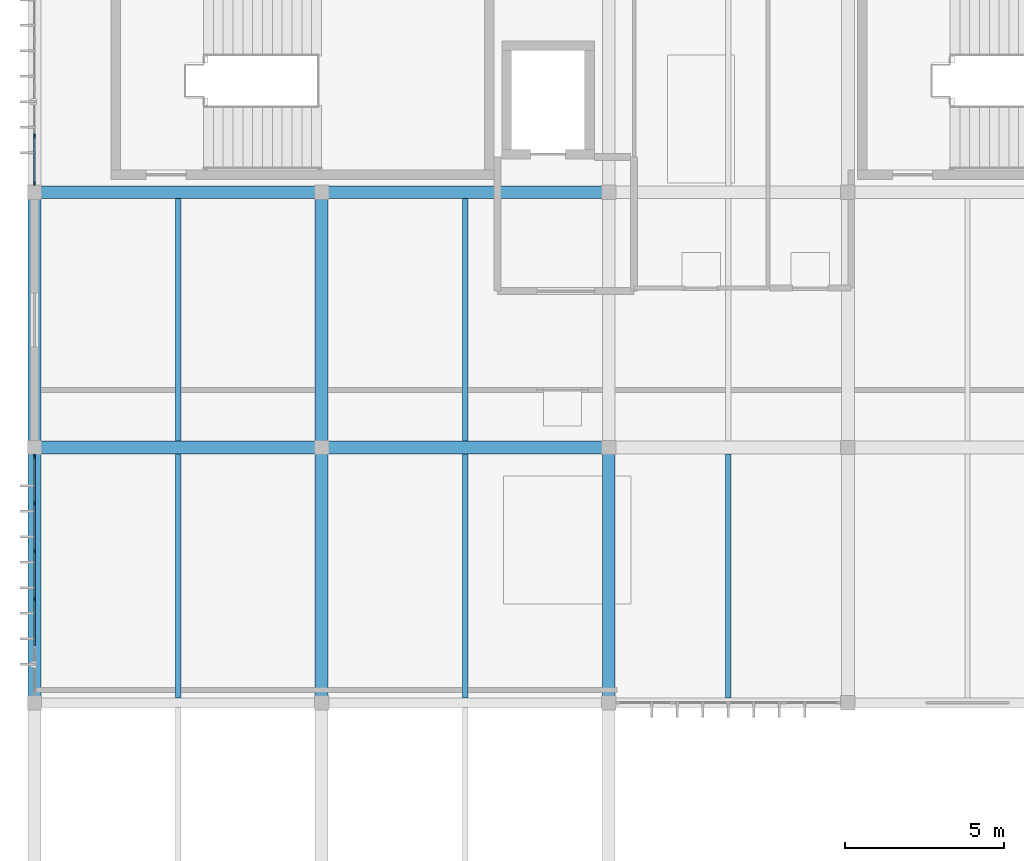
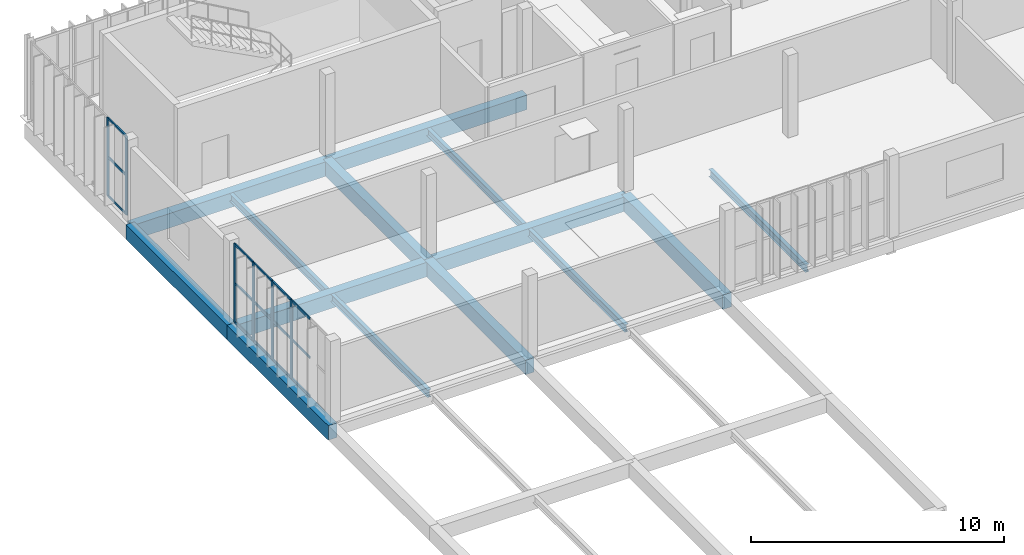
# One storey, part 9 of 26: 21 members, 14 beams, 2 elements without a shape of their own.
"""IFC4 building model written with IfcOpenShell, lengths in metres."""

from ifc_helpers import new_model, si_unit, direction, frame, origin, origin_2d, place, context, subcontext, project, spatial, rectangle, i_section, extrude, material, material_profile, profile_set, type_object, element, aggregate, save


model = new_model("IFC4")

# Units and contexts
model_context = context("Model", 3, precision=1e-05, world=origin(), true_north=direction((0.0, 1.0)))
body_context = subcontext(model_context, "Body", "Model", "MODEL_VIEW")
ifc_project = project(units=[si_unit("LENGTHUNIT", "METRE"), si_unit("AREAUNIT", "SQUARE_METRE"), si_unit("VOLUMEUNIT", "CUBIC_METRE"), si_unit("PLANEANGLEUNIT", "RADIAN"), si_unit("MASSUNIT", "GRAM", prefix="KILO")], contexts=[model_context])

# Site, building, storey
site_placement = place(None, origin())
site = spatial("IfcSite", under=ifc_project, at=site_placement, CompositionType="ELEMENT")
building_placement = place(site_placement, origin())
building = spatial("IfcBuilding", under=site, at=building_placement, Name="Vourika Railside Aquatics Centre", CompositionType="ELEMENT")
storey_placement = place(building_placement, frame((0.0, 0.0, 17.699951171875)))
storey = spatial("IfcBuildingStorey", under=building, at=storey_placement, Name="L04", CompositionType="ELEMENT", Elevation=17.699951171875)

# Beams
ifc_material_1 = material(Name="Concrete C35/45", Category="concrete")
ifc_material_profile_1 = material_profile(ifc_material_1, rectangle(XDim=0.39990234375, YDim=0.699951171875, at=origin_2d()), Name="RC 400x700")
ifc_profile_set_1 = profile_set([ifc_material_profile_1], Name="Concrete C35/45")
beam_type_1 = type_object("IfcBeamType", Name="BM-GIRD-400x700", PredefinedType="BEAM", material=ifc_profile_set_1)
for number, where, z_axis, x_axis, name in (
    (1, (18.0, 100.0, -0.58984375), (1.0, 0.0, 0.0), (0.0, 1.0, 0.0), "Floor Beam GX-L04-018"),
    (2, (27.0, 100.0, -0.58984375), (1.0, 0.0, 0.0), (0.0, 1.0, 0.0), "Floor Beam GX-L04-019"),
    (3, (18.0, 108.0, -0.58984375), (1.0, 0.0, 0.0), (0.0, 1.0, 0.0), "Floor Beam GX-L04-030"),
    (4, (27.0, 108.0, -0.58984375), (1.0, 0.0, 0.0), (0.0, 1.0, 0.0), "Floor Beam GX-L04-031"),
):
    element("IfcBeam", number, at=place(storey_placement, frame(where, z_axis=z_axis, x_axis=x_axis)), inside=storey, type_object=beam_type_1, Name=name, PredefinedType="BEAM", context=body_context, shape_type="SweptSolid", body=[
        extrude(rectangle(XDim=0.39990234375, YDim=0.699951171875, at=origin_2d()), origin(), (0.0, 0.0, 1.0), 9.0),
    ])
for number, where, z_axis, x_axis, name in (
    (5, (18.0, 92.0, -0.58984375), (0.0, 1.0, 0.0), (-1.0, 0.0, 0.0), "Floor Girder GY-L04-058"),
    (6, (18.0, 100.0, -0.58984375), (0.0, 1.0, 0.0), (-1.0, 0.0, 0.0), "Floor Girder GY-L04-059"),
    (7, (27.0, 92.0, -0.58984375), (0.0, 1.0, 0.0), (-1.0, 0.0, 0.0), "Floor Girder GY-L04-065"),
    (8, (27.0, 100.0, -0.58984375), (0.0, 1.0, 0.0), (-1.0, 0.0, 0.0), "Floor Girder GY-L04-066"),
    (9, (36.0, 92.0, -0.58984375), (0.0, 1.0, 0.0), (-1.0, 0.0, 0.0), "Floor Girder GY-L04-069"),
):
    element("IfcBeam", number, at=place(storey_placement, frame(where, z_axis=z_axis, x_axis=x_axis)), inside=storey, type_object=beam_type_1, Name=name, PredefinedType="BEAM", context=body_context, shape_type="SweptSolid", body=[
        extrude(rectangle(XDim=0.39990234375, YDim=0.699951171875, at=origin_2d()), origin(), (0.0, 0.0, 1.0), 8.0),
    ])
ifc_material_2 = material(Name="Steel S355J2", Category="steel")
ifc_material_profile_2 = material_profile(ifc_material_2, i_section(OverallWidth=0.169921875, OverallDepth=0.360107421875, WebThickness=0.008056640625, FlangeThickness=0.0126953125, at=origin_2d()), Name="IPE 360")
ifc_profile_set_2 = profile_set([ifc_material_profile_2], Name="Steel S355J2")
beam_type_2 = type_object("IfcBeamType", Name="BM-STL-IPE360", PredefinedType="JOIST", material=ifc_profile_set_2)
for number, where, z_axis, x_axis, name in (
    (10, (22.5, 92.14990234375, -0.419921875), (0.0, 1.0, 0.0), (-1.0, 0.0, 0.0), "Secondary Joist JY-L04-104"),
    (11, (31.5, 92.14990234375, -0.419921875), (0.0, 1.0, 0.0), (-1.0, 0.0, 0.0), "Secondary Joist JY-L04-105"),
    (12, (39.75, 92.14990234375, -0.419921875), (0.0, 1.0, 0.0), (-1.0, 0.0, 0.0), "Secondary Joist JY-L04-106"),
):
    element("IfcBeam", number, at=place(storey_placement, frame(where, z_axis=z_axis, x_axis=x_axis)), inside=storey, type_object=beam_type_2, Name=name, PredefinedType="JOIST", context=body_context, shape_type="SweptSolid", body=[
        extrude(i_section(OverallWidth=0.169921875, OverallDepth=0.360107421875, WebThickness=0.008056640625, FlangeThickness=0.0126953125, at=origin_2d()), origin(), (0.0, 0.0, 1.0), 7.650146484375),
    ])
for number, where, z_axis, x_axis, name in (
    (13, (22.5, 100.199951171875, -0.419921875), (0.0, 1.0, 0.0), (-1.0, 0.0, 0.0), "Secondary Joist JY-L04-116"),
    (14, (31.5, 100.199951171875, -0.419921875), (0.0, 1.0, 0.0), (-1.0, 0.0, 0.0), "Secondary Joist JY-L04-117"),
):
    element("IfcBeam", number, at=place(storey_placement, frame(where, z_axis=z_axis, x_axis=x_axis)), inside=storey, type_object=beam_type_2, Name=name, PredefinedType="JOIST", context=body_context, shape_type="SweptSolid", body=[
        extrude(i_section(OverallWidth=0.169921875, OverallDepth=0.360107421875, WebThickness=0.008056640625, FlangeThickness=0.0126953125, at=origin_2d()), origin(), (0.0, 0.0, 1.0), 7.60009765625),
    ])

# Curtain wall, members
ifc_material_3 = material(Name="Anodized thermally broken aluminium", Category="aluminium")
curtain_wall_type = type_object("IfcCurtainWallType", Name="CW-FIT4", PredefinedType="NOTDEFINED", material=ifc_material_3)
curtain_wall_1_placement = place(storey_placement, origin())
curtain_wall_1 = element("IfcCurtainWall", 15, at=curtain_wall_1_placement, inside=storey, type_object=curtain_wall_type, Name="Fitness West Boulevard Curtain Wall L04-1", PredefinedType="NOTDEFINED")
ifc_material_4 = material(Name="Anodized aluminium mullion", Category="aluminium")
ifc_material_profile_3 = material_profile(ifc_material_4, rectangle(XDim=0.054931640625, YDim=0.135009765625, at=origin_2d()), Name="ALU-M 55x135")
ifc_profile_set_3 = profile_set([ifc_material_profile_3], Name="Anodized aluminium mullion")
member_type_1 = type_object("IfcMemberType", Name="CWM-FIT4", PredefinedType="MULLION", material=ifc_profile_set_3)
member_1_placement = place(storey_placement, frame((18.0, 99.717529296875, 0.0), z_axis=(0.0, 0.0, 1.0), x_axis=(1.0, 0.0, 0.0)))
member_1 = element("IfcMember", 16, at=member_1_placement, type_object=member_type_1, Name="CW18 mullion 1", PredefinedType="MULLION", context=body_context, shape_type="SweptSolid", body=[
    extrude(rectangle(XDim=0.054931640625, YDim=0.135009765625, at=origin_2d()), origin(), (0.0, 0.0, 1.0), 3.800048828125),
])
member_2_placement = place(storey_placement, frame((18.0, 98.2470703125, 0.0), z_axis=(0.0, 0.0, 1.0), x_axis=(1.0, 0.0, 0.0)))
member_2 = element("IfcMember", 17, at=member_2_placement, type_object=member_type_1, Name="CW18 mullion 2", PredefinedType="MULLION", context=body_context, shape_type="SweptSolid", body=[
    extrude(rectangle(XDim=0.054931640625, YDim=0.135009765625, at=origin_2d()), origin(), (0.0, 0.0, 1.0), 3.800048828125),
])
member_3_placement = place(storey_placement, frame((18.0, 96.7490234375, 0.0), z_axis=(0.0, 0.0, 1.0), x_axis=(1.0, 0.0, 0.0)))
member_3 = element("IfcMember", 18, at=member_3_placement, type_object=member_type_1, Name="CW18 mullion 3", PredefinedType="MULLION", context=body_context, shape_type="SweptSolid", body=[
    extrude(rectangle(XDim=0.054931640625, YDim=0.135009765625, at=origin_2d()), origin(), (0.0, 0.0, 1.0), 3.800048828125),
])
member_4_placement = place(storey_placement, frame((18.0, 95.2509765625, 0.0), z_axis=(0.0, 0.0, 1.0), x_axis=(1.0, 0.0, 0.0)))
member_4 = element("IfcMember", 19, at=member_4_placement, type_object=member_type_1, Name="CW18 mullion 4", PredefinedType="MULLION", context=body_context, shape_type="SweptSolid", body=[
    extrude(rectangle(XDim=0.054931640625, YDim=0.135009765625, at=origin_2d()), origin(), (0.0, 0.0, 1.0), 3.800048828125),
])

curtain_wall_2_placement = place(storey_placement, origin())
curtain_wall_2 = element("IfcCurtainWall", 20, at=curtain_wall_2_placement, inside=storey, type_object=curtain_wall_type, Name="Fitness West Boulevard Curtain Wall L04-3", PredefinedType="NOTDEFINED")
member_5_placement = place(storey_placement, frame((18.0, 109.76806640625, 0.0), z_axis=(0.0, 0.0, 1.0), x_axis=(1.0, 0.0, 0.0)))
member_5 = element("IfcMember", 21, at=member_5_placement, type_object=member_type_1, Name="CW18 mullion 5", PredefinedType="MULLION", context=body_context, shape_type="SweptSolid", body=[
    extrude(rectangle(XDim=0.054931640625, YDim=0.135009765625, at=origin_2d()), origin(), (0.0, 0.0, 1.0), 3.800048828125),
])
member_6_placement = place(storey_placement, frame((18.0, 108.282470703125, 0.0), z_axis=(0.0, 0.0, 1.0), x_axis=(1.0, 0.0, 0.0)))
member_6 = element("IfcMember", 22, at=member_6_placement, type_object=member_type_1, Name="CW18 mullion 6", PredefinedType="MULLION", context=body_context, shape_type="SweptSolid", body=[
    extrude(rectangle(XDim=0.054931640625, YDim=0.135009765625, at=origin_2d()), origin(), (0.0, 0.0, 1.0), 3.800048828125),
])

# Member
ifc_material_5 = material(Name="Anodized aluminium transom", Category="aluminium")
ifc_material_profile_4 = material_profile(ifc_material_5, rectangle(XDim=0.054931640625, YDim=0.10595703125, at=origin_2d()), Name="ALU-T 55x106")
ifc_profile_set_4 = profile_set([ifc_material_profile_4], Name="Anodized aluminium transom")
member_type_2 = type_object("IfcMemberType", Name="CWT-FIT4", PredefinedType="USERDEFINED", material=ifc_profile_set_4)
member_7_placement = place(storey_placement, frame((18.0, 99.68994140625, 0.027587890625), z_axis=(0.0, -1.0, 0.0), x_axis=(1.0, 0.0, 0.0)))
member_7 = element("IfcMember", 23, at=member_7_placement, type_object=member_type_2, Name="CW18 transom 1.1", ObjectType="TRANSOM", PredefinedType="USERDEFINED", context=body_context, shape_type="SweptSolid", body=[
    extrude(rectangle(XDim=0.054931640625, YDim=0.10595703125, at=origin_2d()), origin(), (0.0, 0.0, 1.0), 1.41552734375),
])

member_8_placement = place(storey_placement, frame((18.0, 99.68994140625, 1.900146484375), z_axis=(0.0, -1.0, 0.0), x_axis=(1.0, 0.0, 0.0)))
member_8 = element("IfcMember", 24, at=member_8_placement, type_object=member_type_2, Name="CW18 transom 1.2", ObjectType="TRANSOM", PredefinedType="USERDEFINED", context=body_context, shape_type="SweptSolid", body=[
    extrude(rectangle(XDim=0.054931640625, YDim=0.10595703125, at=origin_2d()), origin(), (0.0, 0.0, 1.0), 1.41552734375),
])

member_9_placement = place(storey_placement, frame((18.0, 99.68994140625, 3.7724609375), z_axis=(0.0, -1.0, 0.0), x_axis=(1.0, 0.0, 0.0)))
member_9 = element("IfcMember", 25, at=member_9_placement, type_object=member_type_2, Name="CW18 transom 1.3", ObjectType="TRANSOM", PredefinedType="USERDEFINED", context=body_context, shape_type="SweptSolid", body=[
    extrude(rectangle(XDim=0.054931640625, YDim=0.10595703125, at=origin_2d()), origin(), (0.0, 0.0, 1.0), 1.41552734375),
])

member_10_placement = place(storey_placement, frame((18.0, 98.219482421875, 0.027587890625), z_axis=(0.0, -1.0, 0.0), x_axis=(1.0, 0.0, 0.0)))
member_10 = element("IfcMember", 26, at=member_10_placement, type_object=member_type_2, Name="CW18 transom 2.1", ObjectType="TRANSOM", PredefinedType="USERDEFINED", context=body_context, shape_type="SweptSolid", body=[
    extrude(rectangle(XDim=0.054931640625, YDim=0.10595703125, at=origin_2d()), origin(), (0.0, 0.0, 1.0), 1.44287109375),
])

member_11_placement = place(storey_placement, frame((18.0, 98.219482421875, 1.900146484375), z_axis=(0.0, -1.0, 0.0), x_axis=(1.0, 0.0, 0.0)))
member_11 = element("IfcMember", 27, at=member_11_placement, type_object=member_type_2, Name="CW18 transom 2.2", ObjectType="TRANSOM", PredefinedType="USERDEFINED", context=body_context, shape_type="SweptSolid", body=[
    extrude(rectangle(XDim=0.054931640625, YDim=0.10595703125, at=origin_2d()), origin(), (0.0, 0.0, 1.0), 1.44287109375),
])

member_12_placement = place(storey_placement, frame((18.0, 98.219482421875, 3.7724609375), z_axis=(0.0, -1.0, 0.0), x_axis=(1.0, 0.0, 0.0)))
member_12 = element("IfcMember", 28, at=member_12_placement, type_object=member_type_2, Name="CW18 transom 2.3", ObjectType="TRANSOM", PredefinedType="USERDEFINED", context=body_context, shape_type="SweptSolid", body=[
    extrude(rectangle(XDim=0.054931640625, YDim=0.10595703125, at=origin_2d()), origin(), (0.0, 0.0, 1.0), 1.44287109375),
])

member_13_placement = place(storey_placement, frame((18.0, 96.721435546875, 0.027587890625), z_axis=(0.0, -1.0, 0.0), x_axis=(1.0, 0.0, 0.0)))
member_13 = element("IfcMember", 29, at=member_13_placement, type_object=member_type_2, Name="CW18 transom 3.1", ObjectType="TRANSOM", PredefinedType="USERDEFINED", context=body_context, shape_type="SweptSolid", body=[
    extrude(rectangle(XDim=0.054931640625, YDim=0.10595703125, at=origin_2d()), origin(), (0.0, 0.0, 1.0), 1.44287109375),
])

member_14_placement = place(storey_placement, frame((18.0, 96.721435546875, 1.900146484375), z_axis=(0.0, -1.0, 0.0), x_axis=(1.0, 0.0, 0.0)))
member_14 = element("IfcMember", 30, at=member_14_placement, type_object=member_type_2, Name="CW18 transom 3.2", ObjectType="TRANSOM", PredefinedType="USERDEFINED", context=body_context, shape_type="SweptSolid", body=[
    extrude(rectangle(XDim=0.054931640625, YDim=0.10595703125, at=origin_2d()), origin(), (0.0, 0.0, 1.0), 1.44287109375),
])

member_15_placement = place(storey_placement, frame((18.0, 96.721435546875, 3.7724609375), z_axis=(0.0, -1.0, 0.0), x_axis=(1.0, 0.0, 0.0)))
member_15 = element("IfcMember", 31, at=member_15_placement, type_object=member_type_2, Name="CW18 transom 3.3", ObjectType="TRANSOM", PredefinedType="USERDEFINED", context=body_context, shape_type="SweptSolid", body=[
    extrude(rectangle(XDim=0.054931640625, YDim=0.10595703125, at=origin_2d()), origin(), (0.0, 0.0, 1.0), 1.44287109375),
])

member_16_placement = place(storey_placement, frame((18.0, 95.223388671875, 0.027587890625), z_axis=(0.0, -1.0, 0.0), x_axis=(1.0, 0.0, 0.0)))
member_16 = element("IfcMember", 32, at=member_16_placement, type_object=member_type_2, Name="CW18 transom 4.1", ObjectType="TRANSOM", PredefinedType="USERDEFINED", context=body_context, shape_type="SweptSolid", body=[
    extrude(rectangle(XDim=0.054931640625, YDim=0.10595703125, at=origin_2d()), origin(), (0.0, 0.0, 1.0), 1.44287109375),
])

member_17_placement = place(storey_placement, frame((18.0, 95.223388671875, 1.900146484375), z_axis=(0.0, -1.0, 0.0), x_axis=(1.0, 0.0, 0.0)))
member_17 = element("IfcMember", 33, at=member_17_placement, type_object=member_type_2, Name="CW18 transom 4.2", ObjectType="TRANSOM", PredefinedType="USERDEFINED", context=body_context, shape_type="SweptSolid", body=[
    extrude(rectangle(XDim=0.054931640625, YDim=0.10595703125, at=origin_2d()), origin(), (0.0, 0.0, 1.0), 1.44287109375),
])

member_18_placement = place(storey_placement, frame((18.0, 95.223388671875, 3.7724609375), z_axis=(0.0, -1.0, 0.0), x_axis=(1.0, 0.0, 0.0)))
member_18 = element("IfcMember", 34, at=member_18_placement, type_object=member_type_2, Name="CW18 transom 4.3", ObjectType="TRANSOM", PredefinedType="USERDEFINED", context=body_context, shape_type="SweptSolid", body=[
    extrude(rectangle(XDim=0.054931640625, YDim=0.10595703125, at=origin_2d()), origin(), (0.0, 0.0, 1.0), 1.44287109375),
])

aggregate(curtain_wall_1, [member_1, member_2, member_3, member_4, member_7, member_8, member_9, member_10, member_11, member_12, member_13, member_14, member_15, member_16, member_17, member_18])

member_19_placement = place(storey_placement, frame((18.0, 109.740478515625, 0.027587890625), z_axis=(0.0, -1.0, 0.0), x_axis=(1.0, 0.0, 0.0)))
member_19 = element("IfcMember", 35, at=member_19_placement, type_object=member_type_2, Name="CW18 transom 5.1", ObjectType="TRANSOM", PredefinedType="USERDEFINED", context=body_context, shape_type="SweptSolid", body=[
    extrude(rectangle(XDim=0.054931640625, YDim=0.10595703125, at=origin_2d()), origin(), (0.0, 0.0, 1.0), 1.430419921875),
])

member_20_placement = place(storey_placement, frame((18.0, 109.740478515625, 1.900146484375), z_axis=(0.0, -1.0, 0.0), x_axis=(1.0, 0.0, 0.0)))
member_20 = element("IfcMember", 36, at=member_20_placement, type_object=member_type_2, Name="CW18 transom 5.2", ObjectType="TRANSOM", PredefinedType="USERDEFINED", context=body_context, shape_type="SweptSolid", body=[
    extrude(rectangle(XDim=0.054931640625, YDim=0.10595703125, at=origin_2d()), origin(), (0.0, 0.0, 1.0), 1.430419921875),
])

member_21_placement = place(storey_placement, frame((18.0, 109.740478515625, 3.7724609375), z_axis=(0.0, -1.0, 0.0), x_axis=(1.0, 0.0, 0.0)))
member_21 = element("IfcMember", 37, at=member_21_placement, type_object=member_type_2, Name="CW18 transom 5.3", ObjectType="TRANSOM", PredefinedType="USERDEFINED", context=body_context, shape_type="SweptSolid", body=[
    extrude(rectangle(XDim=0.054931640625, YDim=0.10595703125, at=origin_2d()), origin(), (0.0, 0.0, 1.0), 1.430419921875),
])

aggregate(curtain_wall_2, [member_5, member_6, member_19, member_20, member_21])

save(model, "model.ifc")
